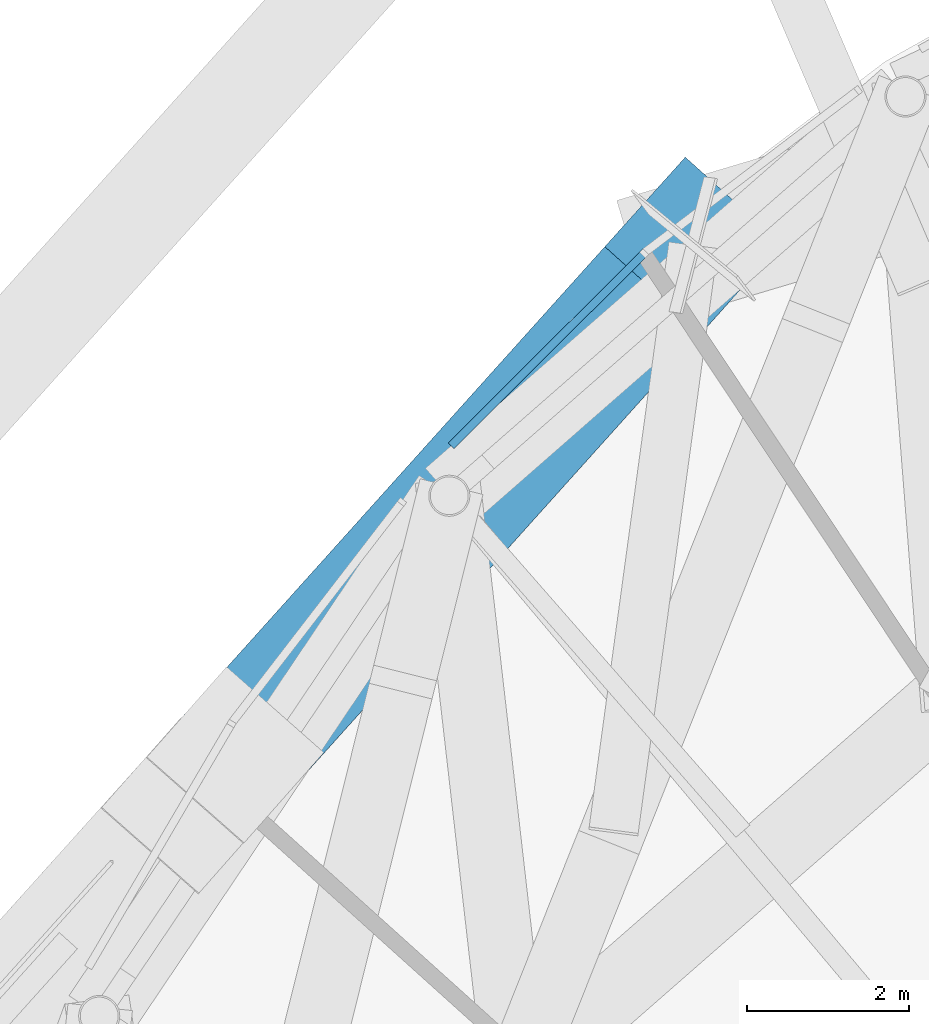
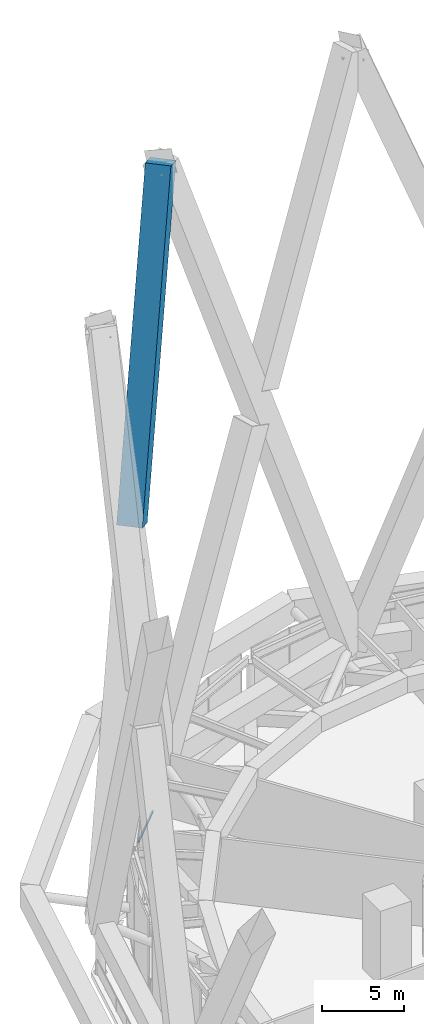
# One storey, part 40 of 65: 2 members, 1 element without a shape of its own.
"""IFC4 building model written with IfcOpenShell, lengths in metres."""

from ifc_helpers import new_model, si_unit, direction, frame, origin, origin_2d, place, context, subcontext, project, spatial, rectangle, extrude, material, layer, layer_set, material_profile, profile_set, type_object, element, aggregate, save


model = new_model("IFC4")

# Units and contexts
model_context = context("Model", 3, precision=1e-05, world=origin(), true_north=direction((0.0, 1.0)))
body_context = subcontext(model_context, "Body", "Model", "MODEL_VIEW")
ifc_project = project(units=[si_unit("LENGTHUNIT", "METRE"), si_unit("AREAUNIT", "SQUARE_METRE"), si_unit("VOLUMEUNIT", "CUBIC_METRE"), si_unit("PLANEANGLEUNIT", "RADIAN"), si_unit("MASSUNIT", "GRAM", prefix="KILO")], contexts=[model_context])

# Site, building, storey
site_placement = place(None, origin())
site = spatial("IfcSite", under=ifc_project, at=site_placement, CompositionType="ELEMENT")
building_placement = place(site_placement, origin())
building = spatial("IfcBuilding", under=site, at=building_placement, Name="Nagisa Residences", CompositionType="ELEMENT")
storey_placement = place(building_placement, frame((0.0, 0.0, 114.0)))
storey = spatial("IfcBuildingStorey", under=building, at=storey_placement, Name="L28", CompositionType="ELEMENT", Elevation=114.0)

# Curtain wall, member
ifc_material_1 = material(Name="Aluminium curtain wall system", Category="aluminium")
ifc_layer = layer(ifc_material_1, 0.159912109375)
ifc_layer_set = layer_set([ifc_layer], Name="CW5 CURTAIN WALL")
curtain_wall_type = type_object("IfcCurtainWallType", Name="CW5 CURTAIN WALL", PredefinedType="NOTDEFINED", material=ifc_layer_set)
curtain_wall_placement = place(storey_placement, origin())
curtain_wall = element("IfcCurtainWall", 1, at=curtain_wall_placement, inside=storey, type_object=curtain_wall_type, Name="cw:CW5:L28:17", PredefinedType="NOTDEFINED")
ifc_material_2 = material(Name="Aluminium", Category="aluminium")
ifc_material_profile_1 = material_profile(ifc_material_2, rectangle(XDim=0.10009765625, YDim=0.1201171875, at=origin_2d()), Name="CW5 TRANSOM 100x120")
ifc_profile_set_1 = profile_set([ifc_material_profile_1], Name="Aluminium")
member_type_1 = type_object("IfcMemberType", Name="CW5 TRANSOM 100x120", PredefinedType="USERDEFINED", material=ifc_profile_set_1)
member_1_placement = place(storey_placement, frame((-18.60302734375, 28.0634765625, 0.06005859375), z_axis=(-0.70786079798, -0.706351959495, 0.0), x_axis=(0.706351959495, -0.70786079798, 0.0)))
member_1 = element("IfcMember", 2, at=member_1_placement, type_object=member_type_1, Name="CW5 transom", ObjectType="TRANSOM", PredefinedType="USERDEFINED", context=body_context, shape_type="SweptSolid", body=[
    extrude(rectangle(XDim=0.10009765625, YDim=0.1201171875, at=origin_2d()), origin(), (0.0, 0.0, 1.0), 3.39794921875),
])
aggregate(curtain_wall, [member_1])

# Member
ifc_material_3 = material(Name="Concrete C80", Category="concrete")
ifc_material_profile_2 = material_profile(ifc_material_3, rectangle(XDim=1.60009765625, YDim=1.60009765625, at=origin_2d()), Name="C80 1600x1600")
ifc_profile_set_2 = profile_set([ifc_material_profile_2], Name="Concrete C80")
member_type_2 = type_object("IfcMemberType", Name="Cage diagonal 3 C80 1600x1600", PredefinedType="BRACE", material=ifc_profile_set_2)
member_2_placement = place(storey_placement, frame((-23.670654296875, 21.8505859375, 27.010498046875), z_axis=(0.247778247414, 0.275739575874, 0.928748419329), x_axis=(-0.743813506148, 0.668387214175, 0.0)))
element("IfcMember", 3, at=member_2_placement, inside=storey, type_object=member_type_2, Name="mem:L28:cg3d010b", PredefinedType="BRACE", context=body_context, shape_type="SweptSolid", body=[
    extrude(rectangle(XDim=1.60009765625, YDim=1.60009765625, at=origin_2d()), origin(), (0.0, 0.0, 1.0), 22.81494140625),
])

save(model, "model.ifc")
